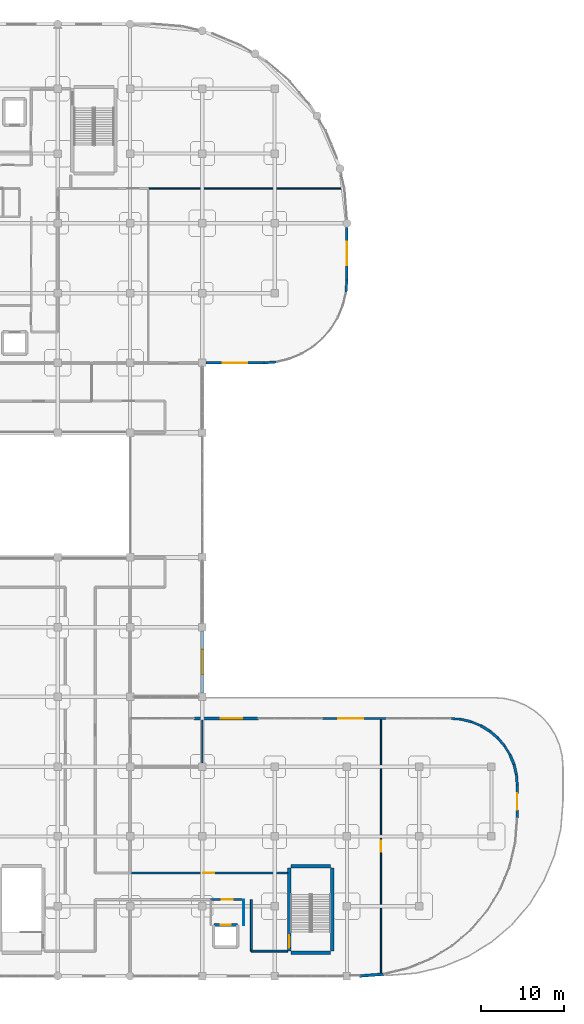
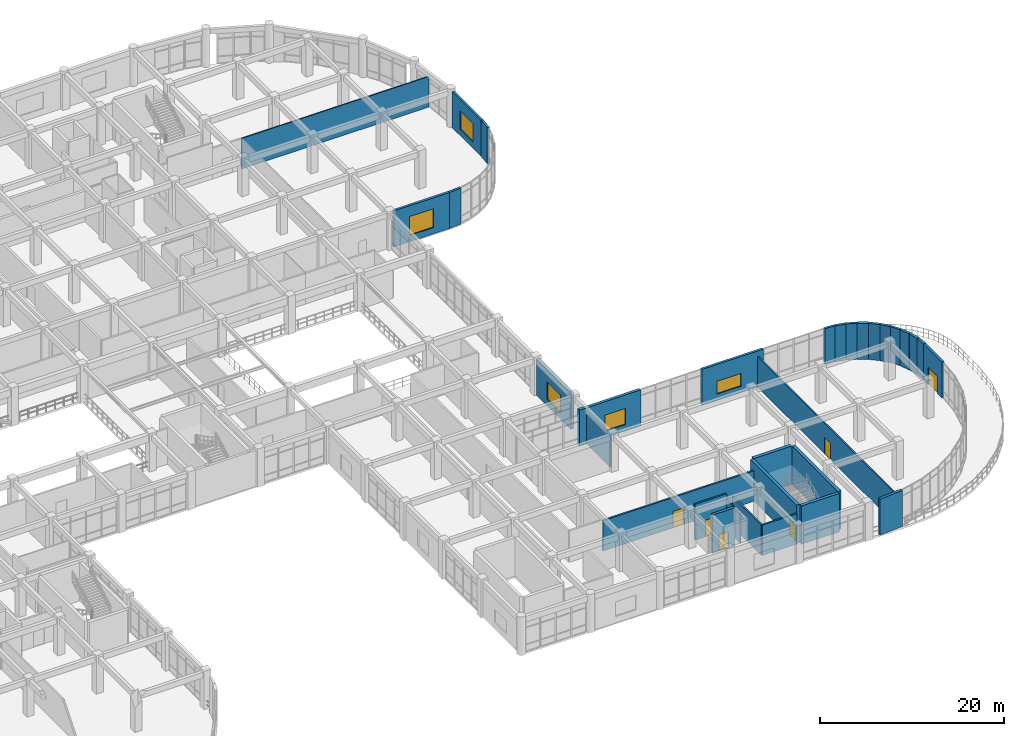
# One storey, part 107 of 120: 32 walls, 6 doors, 5 windows, 11 openings.
"""IFC4 building model written with IfcOpenShell, lengths in metres."""

from ifc_helpers import new_model, si_unit, derived_unit, direction, frame, frame_2d, origin, place, context, subcontext, project, spatial, rectangle, extrude, material, layer, layer_set, type_object, element, fill, save


model = new_model("IFC4")

# Units and contexts
model_context = context("Model", 3, precision=1e-05, world=origin(), true_north=direction((0.0, 1.0)))
body_context = subcontext(model_context, "Body", "Model", "MODEL_VIEW")
ifc_project = project(units=[si_unit("LENGTHUNIT", "METRE"), si_unit("AREAUNIT", "SQUARE_METRE"), si_unit("VOLUMEUNIT", "CUBIC_METRE"), si_unit("PLANEANGLEUNIT", "RADIAN"), si_unit("MASSUNIT", "GRAM", prefix="KILO"), derived_unit("THERMALTRANSMITTANCEUNIT", [(si_unit("MASSUNIT", "GRAM", prefix="KILO"), 1), (si_unit("TIMEUNIT", "SECOND"), -3), (si_unit("THERMODYNAMICTEMPERATUREUNIT", "KELVIN"), -1)])], contexts=[model_context])

# Site, building, storey
site_placement = place(None, origin())
site = spatial("IfcSite", under=ifc_project, at=site_placement, CompositionType="ELEMENT")
building_placement = place(site_placement, origin())
building = spatial("IfcBuilding", under=site, at=building_placement, Name="Qinzheling Arcade Emporium", CompositionType="ELEMENT")
storey_placement = place(building_placement, frame((0.0, 0.0, 11.39990234375)))
storey = spatial("IfcBuildingStorey", under=building, at=storey_placement, Name="L03", CompositionType="ELEMENT", Elevation=11.39990234375)

# Wall, opening, door
ifc_material_1 = material(Name="Double-stud acoustic gypsum board partition")
ifc_layer_1 = layer(ifc_material_1, 0.215087890625, Name="Double-stud acoustic gypsum board partition")
ifc_layer_set_1 = layer_set([ifc_layer_1], Name="Double-stud acoustic gypsum board partition")
wall_type_1 = type_object("IfcWallType", Name="Acoustic Corridor Partition Wall 215", PredefinedType="PARTITIONING", material=ifc_layer_set_1)
wall_1_placement = place(storey_placement, frame((131.5, 9.199951171875, 0.0), z_axis=(0.0, 0.0, 1.0), x_axis=(1.0, 0.0, 0.0)))
wall_1 = element("IfcWall", 1, at=wall_1_placement, inside=storey, type_object=wall_type_1, Name="Interior Wall WL-L03-INT-0443", PredefinedType="PARTITIONING", context=body_context, shape_type="SweptSolid", body=[
    extrude(rectangle(XDim=4.0, YDim=0.215087890625, at=frame_2d((2.0, 0.0))), origin(), (0.0, 0.0, 1.0), 4.760009765625),
])
opening_1_placement = place(wall_1_placement, frame((1.324951171875, 0.0, 0.0)))
opening_1 = element("IfcOpeningElement", 2, at=opening_1_placement, cuts=wall_1, Name="Opening FD05", PredefinedType="OPENING", context=body_context, shape_type="SweptSolid", body=[
    extrude(rectangle(XDim=1.35009765625, YDim=2.199951171875, at=frame_2d((0.675048828125, 1.10009765625))), frame((0.0, 0.11767578125, 0.0), z_axis=(0.0, -1.0, 0.0), x_axis=(1.0, 0.0, 0.0)), (0.0, 0.0, 1.0), 0.235107421875),
])
ifc_material_2 = material(Name="Class B fire-rated stainless-clad door")
door_type_1 = type_object("IfcDoorType", Name="Kitchen Fire-Rated Service Door 1350x2200", OperationType="NOTDEFINED", PredefinedType="DOOR", material=ifc_material_2)
door_1_placement = place(opening_1_placement, origin())
door_1 = element("IfcDoor", 3, at=door_1_placement, inside=storey, type_object=door_type_1, Name="FD05 Interior Door DR-L03-INT-0123", OperationType="SINGLE_SWING_LEFT", OverallHeight=2.199951171875, OverallWidth=1.35009765625, PredefinedType="DOOR", context=body_context, shape_type="SweptSolid", body=[
    extrude(rectangle(XDim=1.35009765625, YDim=2.199951171875, at=frame_2d((0.675048828125, 1.10009765625))), frame((0.0, 0.02490234375, 0.0), z_axis=(0.0, -1.0, 0.0), x_axis=(1.0, 0.0, 0.0)), (0.0, 0.0, 1.0), 0.050048828125),
])
fill(opening_1, door_1)

wall_2_placement = place(storey_placement, frame((121.800048828125, 12.39990234375, 0.0), z_axis=(0.0, 0.0, 1.0), x_axis=(1.0, 0.0, 0.0)))
wall_2 = element("IfcWall", 4, at=wall_2_placement, inside=storey, type_object=wall_type_1, Name="Interior Wall WL-L03-INT-0518", PredefinedType="PARTITIONING", context=body_context, shape_type="SweptSolid", body=[
    extrude(rectangle(XDim=18.949951171875, YDim=0.215087890625, at=frame_2d((9.47509765625, 0.0))), origin(), (0.0, 0.0, 1.0), 4.045166015625),
])
opening_2_placement = place(wall_2_placement, frame((8.800048828125, 0.0, 0.0)))
opening_2 = element("IfcOpeningElement", 5, at=opening_2_placement, cuts=wall_2, Name="Opening FD05", PredefinedType="OPENING", context=body_context, shape_type="SweptSolid", body=[
    extrude(rectangle(XDim=1.35009765625, YDim=2.199951171875, at=frame_2d((0.675048828125, 1.10009765625))), frame((0.0, 0.11767578125, 0.0), z_axis=(0.0, -1.0, 0.0), x_axis=(1.0, 0.0, 0.0)), (0.0, 0.0, 1.0), 0.235107421875),
])
door_2_placement = place(opening_2_placement, origin())
door_2 = element("IfcDoor", 6, at=door_2_placement, inside=storey, type_object=door_type_1, Name="FD05 Interior Door DR-L03-INT-0150", OperationType="SINGLE_SWING_RIGHT", OverallHeight=2.199951171875, OverallWidth=1.35009765625, PredefinedType="DOOR", context=body_context, shape_type="SweptSolid", body=[
    extrude(rectangle(XDim=1.35009765625, YDim=2.199951171875, at=frame_2d((0.675048828125, 1.10009765625))), frame((0.0, 0.02490234375, 0.0), z_axis=(0.0, -1.0, 0.0), x_axis=(1.0, 0.0, 0.0)), (0.0, 0.0, 1.0), 0.050048828125),
])
fill(opening_2, door_2)

# Walls
wall_3_placement = place(storey_placement, frame((140.75, 3.0, 0.0), z_axis=(0.0, 0.0, 1.0), x_axis=(-1.0, 0.0, 0.0)))
element("IfcWall", 7, at=wall_3_placement, inside=storey, type_object=wall_type_1, Name="Interior Wall WL-L03-INT-0519", PredefinedType="PARTITIONING", context=body_context, shape_type="SweptSolid", body=[
    extrude(rectangle(XDim=4.35009765625, YDim=0.215087890625, at=frame_2d((2.175048828125, 0.0))), origin(), (0.0, 0.0, 1.0), 4.045166015625),
])
wall_4_placement = place(storey_placement, frame((136.39990234375, 3.0, 0.0), z_axis=(0.0, 0.0, 1.0), x_axis=(0.0, 1.0, 0.0)))
element("IfcWall", 8, at=wall_4_placement, inside=storey, type_object=wall_type_1, Name="Interior Wall WL-L03-INT-0520", PredefinedType="PARTITIONING", context=body_context, shape_type="SweptSolid", body=[
    extrude(rectangle(XDim=6.199951171875, YDim=0.215087890625, at=frame_2d((3.10009765625, 0.0))), origin(), (0.0, 0.0, 1.0), 4.045166015625),
])
ifc_material_3 = material(Name="Insulated aluminium-clad spandrel wall", Category="aluminium")
ifc_layer_2 = layer(ifc_material_3, 0.260009765625, Name="Insulated aluminium-clad spandrel wall", Category="aluminium")
ifc_layer_set_2 = layer_set([ifc_layer_2], Name="Insulated aluminium-clad spandrel wall")
wall_type_2 = type_object("IfcWallType", Name="Arcade Clerestory Spandrel Wall 260", PredefinedType="STANDARD", material=ifc_layer_set_2)
wall_5_placement = place(storey_placement, frame((162.8720703125, 30.60791015625, 0.0), z_axis=(0.0, 0.0, 1.0), x_axis=(0.924012093559, -0.382363244777, 0.0)))
element("IfcWall", 9, at=wall_5_placement, inside=storey, type_object=wall_type_2, Name="Exterior Wall WL-L03-EW-0141", PredefinedType="STANDARD", context=body_context, shape_type="SweptSolid", body=[
    extrude(rectangle(XDim=1.25537109375, YDim=0.260009765625, at=frame_2d((0.627685546875, 0.0))), origin(), (0.0, 0.0, 1.0), 4.7900390625),
])
wall_6_placement = place(storey_placement, frame((166.8720703125, 27.701904296875, 0.0), z_axis=(0.0, 0.0, 1.0), x_axis=(0.522739961681, -0.852492189091, 0.0)))
element("IfcWall", 10, at=wall_6_placement, inside=storey, type_object=wall_type_2, Name="Exterior Wall WL-L03-EW-0145", PredefinedType="STANDARD", context=body_context, shape_type="SweptSolid", body=[
    extrude(rectangle(XDim=1.2548828125, YDim=0.260009765625, at=frame_2d((0.62744140625, 0.0))), origin(), (0.0, 0.0, 1.0), 4.7900390625),
])

# Wall, opening, door
wall_7_placement = place(storey_placement, frame((168.39990234375, 23.0, 0.0), z_axis=(0.0, 0.0, 1.0), x_axis=(0.0, -1.0, 0.0)))
wall_7 = element("IfcWall", 11, at=wall_7_placement, inside=storey, type_object=wall_type_2, Name="Exterior Wall WL-L03-EW-0149", PredefinedType="STANDARD", context=body_context, shape_type="SweptSolid", body=[
    extrude(rectangle(XDim=4.0, YDim=0.260009765625, at=frame_2d((2.0, 0.0))), origin(), (0.0, 0.0, 1.0), 4.7900390625),
])
opening_3_placement = place(wall_7_placement, frame((1.0, 0.0, 0.0)))
opening_3 = element("IfcOpeningElement", 12, at=opening_3_placement, cuts=wall_7, Name="Opening TD02", PredefinedType="OPENING", context=body_context, shape_type="SweptSolid", body=[
    extrude(rectangle(XDim=2.0, YDim=2.25, at=frame_2d((1.0, 1.125))), frame((0.0, 0.14013671875, 0.0), z_axis=(0.0, -1.0, 0.0), x_axis=(1.0, 0.0, 0.0)), (0.0, 0.0, 1.0), 0.280029296875),
])
ifc_material_4 = material(Name="Thermally broken aluminium and double glass", Category="aluminium")
door_type_2 = type_object("IfcDoorType", Name="Food Hall Terrace Double Door 2000x2250", OperationType="DOUBLE_DOOR_SINGLE_SWING", PredefinedType="DOOR", material=ifc_material_4)
door_3_placement = place(opening_3_placement, origin())
door_3 = element("IfcDoor", 13, at=door_3_placement, inside=storey, type_object=door_type_2, Name="TD02 Exterior Door DR-L03-EXT-030", OperationType="DOUBLE_DOOR_SINGLE_SWING", OverallHeight=2.25, OverallWidth=2.0, PredefinedType="DOOR", context=body_context, shape_type="SweptSolid", body=[
    extrude(rectangle(XDim=2.0, YDim=2.25, at=frame_2d((1.0, 1.125))), frame((0.0, 0.02490234375, 0.0), z_axis=(0.0, -1.0, 0.0), x_axis=(1.0, 0.0, 0.0)), (0.0, 0.0, 1.0), 0.050048828125),
])
fill(opening_3, door_3)

# Walls
wall_8_placement = place(storey_placement, frame((160.39990234375, 31.0, 0.0), z_axis=(0.0, 0.0, 1.0), x_axis=(0.996951745605, -0.078020618655, 0.0)))
element("IfcWall", 14, at=wall_8_placement, inside=storey, type_object=wall_type_2, Name="Exterior Wall WL-L03-EW-0201", PredefinedType="STANDARD", context=body_context, shape_type="SweptSolid", body=[
    extrude(rectangle(XDim=1.2548828125, YDim=0.260009765625, at=frame_2d((0.62744140625, 0.0))), origin(), (0.0, 0.0, 1.0), 4.7900390625),
])
ifc_material_5 = material(Name="Lightweight atelier partition")
ifc_layer_3 = layer(ifc_material_5, 0.14990234375, Name="Lightweight atelier partition")
ifc_layer_set_3 = layer_set([ifc_layer_3], Name="Lightweight atelier partition")
wall_type_3 = type_object("IfcWallType", Name="Atelier Partition Wall 150", PredefinedType="PARTITIONING", material=ifc_layer_set_3)
wall_9_placement = place(storey_placement, frame((130.5, 30.81494140625, 0.0), z_axis=(0.0, 0.0, 1.0), x_axis=(0.0, -1.0, 0.0)))
element("IfcWall", 15, at=wall_9_placement, inside=storey, type_object=wall_type_3, Name="Interior Wall WL-L03-INT-0568", PredefinedType="PARTITIONING", context=body_context, shape_type="SweptSolid", body=[
    extrude(rectangle(XDim=5.155029296875, YDim=0.14990234375, at=frame_2d((2.57763671875, 0.0))), origin(), (0.0, 0.0, 1.0), 4.06005859375),
])
ifc_material_6 = material(Name="Galvanised stud back-of-house partition")
ifc_layer_4 = layer(ifc_material_6, 0.1201171875, Name="Galvanised stud back-of-house partition")
ifc_layer_set_4 = layer_set([ifc_layer_4], Name="Galvanised stud back-of-house partition")
wall_type_4 = type_object("IfcWallType", Name="Back-of-House Partition Wall 120", PredefinedType="PARTITIONING", material=ifc_layer_set_4)
wall_10_placement = place(storey_placement, frame((135.5, 9.199951171875, 0.0), z_axis=(0.0, 0.0, 1.0), x_axis=(0.0, -1.0, 0.0)))
element("IfcWall", 16, at=wall_10_placement, inside=storey, type_object=wall_type_4, Name="Interior Wall WL-L03-INT-0445", PredefinedType="PARTITIONING", context=body_context, shape_type="SweptSolid", body=[
    extrude(rectangle(XDim=3.070068359375, YDim=0.1201171875, at=frame_2d((1.53515625, 0.0))), origin(), (0.0, 0.0, 1.0), 4.045166015625),
])
ifc_material_7 = material(Name="Glazed-transom steel-stud office partition", Category="steel")
ifc_layer_5 = layer(ifc_material_7, 0.135009765625, Name="Glazed-transom steel-stud office partition", Category="steel")
ifc_layer_set_5 = layer_set([ifc_layer_5], Name="Glazed-transom steel-stud office partition")
wall_type_5 = type_object("IfcWallType", Name="Buying Office Acoustic Partition Wall 135", PredefinedType="PARTITIONING", material=ifc_layer_set_5)
wall_11_placement = place(storey_placement, frame((124.0, 94.800048828125, 0.0), z_axis=(0.0, 0.0, 1.0), x_axis=(1.0, 0.0, 0.0)))
element("IfcWall", 17, at=wall_11_placement, inside=storey, type_object=wall_type_5, Name="Interior Wall WL-L03-INT-0587", PredefinedType="PARTITIONING", context=body_context, shape_type="SweptSolid", body=[
    extrude(rectangle(XDim=23.501953125, YDim=0.135009765625, at=frame_2d((11.7509765625, 0.0))), origin(), (0.0, 0.0, 1.0), 4.0751953125),
])
ifc_material_8 = material(Name="Celadon glazed terracotta insulated spandrel", Category="masonry")
ifc_layer_6 = layer(ifc_material_8, 0.340087890625, Name="Celadon glazed terracotta insulated spandrel", Category="masonry")
ifc_layer_set_6 = layer_set([ifc_layer_6], Name="Celadon glazed terracotta insulated spandrel")
wall_type_6 = type_object("IfcWallType", Name="Celadon Spandrel Infill Wall 340", PredefinedType="STANDARD", material=ifc_layer_set_6)
wall_12_placement = place(storey_placement, frame((164.031982421875, 30.1279296875, 0.0), z_axis=(0.0, 0.0, 1.0), x_axis=(0.852545336416, -0.522653278337, 0.0)))
element("IfcWall", 18, at=wall_12_placement, inside=storey, type_object=wall_type_6, Name="Exterior Wall WL-L03-EW-0142", PredefinedType="STANDARD", context=body_context, shape_type="SweptSolid", body=[
    extrude(rectangle(XDim=1.255126953125, YDim=0.340087890625, at=frame_2d((0.62744140625, 0.0))), origin(), (0.0, 0.0, 1.0), 4.7900390625),
])
wall_13_placement = place(storey_placement, frame((167.528076171875, 26.632080078125, 0.0), z_axis=(0.0, 0.0, 1.0), x_axis=(0.382294541879, -0.92404052035, 0.0)))
element("IfcWall", 19, at=wall_13_placement, inside=storey, type_object=wall_type_6, Name="Exterior Wall WL-L03-EW-0146", PredefinedType="STANDARD", context=body_context, shape_type="SweptSolid", body=[
    extrude(rectangle(XDim=1.255615234375, YDim=0.340087890625, at=frame_2d((0.6279296875, 0.0))), origin(), (0.0, 0.0, 1.0), 4.7900390625),
])
wall_14_placement = place(storey_placement, frame((152.3720703125, 0.23388671875, 0.0), z_axis=(0.0, 0.0, 1.0), x_axis=(-0.996918067583, -0.07844977072, 0.0)))
element("IfcWall", 20, at=wall_14_placement, inside=storey, type_object=wall_type_6, Name="Exterior Wall WL-L03-EW-0150", PredefinedType="STANDARD", context=body_context, shape_type="SweptSolid", body=[
    extrude(rectangle(XDim=2.9814453125, YDim=0.340087890625, at=frame_2d((1.49072265625, 0.0))), origin(), (0.0, 0.0, 1.0), 4.7900390625),
])
ifc_material_9 = material(Name="Glazed cream terracotta insulated wall", Category="masonry")
ifc_layer_7 = layer(ifc_material_9, 0.320068359375, Name="Glazed cream terracotta insulated wall", Category="masonry")
ifc_layer_set_7 = layer_set([ifc_layer_7], Name="Glazed cream terracotta insulated wall")
wall_type_7 = type_object("IfcWallType", Name="Chicago Frame Infill Wall 320", PredefinedType="STANDARD", material=ifc_layer_set_7)
wall_15_placement = place(storey_placement, frame((165.10205078125, 29.471923828125, 0.0), z_axis=(0.0, 0.0, 1.0), x_axis=(0.76062774277, -0.649188290812, 0.0)))
element("IfcWall", 21, at=wall_15_placement, inside=storey, type_object=wall_type_7, Name="Exterior Wall WL-L03-EW-0143", PredefinedType="STANDARD", context=body_context, shape_type="SweptSolid", body=[
    extrude(rectangle(XDim=1.25537109375, YDim=0.320068359375, at=frame_2d((0.627685546875, 0.0))), origin(), (0.0, 0.0, 1.0), 4.7900390625),
])
wall_16_placement = place(storey_placement, frame((168.008056640625, 25.471923828125, 0.0), z_axis=(0.0, 0.0, 1.0), x_axis=(0.234064047206, -0.972221179468, 0.0)))
element("IfcWall", 22, at=wall_16_placement, inside=storey, type_object=wall_type_7, Name="Exterior Wall WL-L03-EW-0147", PredefinedType="STANDARD", context=body_context, shape_type="SweptSolid", body=[
    extrude(rectangle(XDim=1.255859375, YDim=0.320068359375, at=frame_2d((0.6279296875, 0.0))), origin(), (0.0, 0.0, 1.0), 4.7900390625),
])

# Wall, opening, window
ifc_material_10 = material(Name="Glazed cream terracotta on Concrete C40", Category="masonry")
ifc_layer_8 = layer(ifc_material_10, 0.360107421875, Name="Glazed cream terracotta on Concrete C40", Category="masonry")
ifc_layer_set_8 = layer_set([ifc_layer_8], Name="Glazed cream terracotta on Concrete C40")
wall_type_8 = type_object("IfcWallType", Name="Glazed Terracotta Pier Wall 360", PredefinedType="STANDARD", material=ifc_layer_set_8)
wall_17_placement = place(storey_placement, frame((130.5, 41.548095703125, 0.0), z_axis=(0.0, 0.0, 1.0), x_axis=(0.0, -1.0, 0.0)))
wall_17 = element("IfcWall", 23, at=wall_17_placement, inside=storey, type_object=wall_type_8, Name="Exterior Wall WL-L03-EW-0197", PredefinedType="STANDARD", context=body_context, shape_type="SweptSolid", body=[
    extrude(rectangle(XDim=7.49609375, YDim=0.360107421875, at=frame_2d((3.748046875, 0.0))), origin(), (0.0, 0.0, 1.0), 4.7900390625),
])
opening_4_placement = place(wall_17_placement, frame((2.248046875, 0.0, 0.85009765625)))
opening_4 = element("IfcOpeningElement", 24, at=opening_4_placement, cuts=wall_17, Name="Opening WN40", PredefinedType="OPENING", context=body_context, shape_type="SweptSolid", body=[
    extrude(rectangle(XDim=3.0, YDim=2.300048828125, at=frame_2d((1.5, 1.14990234375))), frame((0.0, 0.18994140625, 0.0), z_axis=(0.0, -1.0, 0.0), x_axis=(1.0, 0.0, 0.0)), (0.0, 0.0, 1.0), 0.380126953125),
])
ifc_material_11 = material(Name="Thermally broken aluminium frame with solar-control double glazing", Category="aluminium")
window_type_1 = type_object("IfcWindowType", Name="Chicago Tripartite Window 3000x2300", PartitioningType="TRIPLE_PANEL_VERTICAL", PredefinedType="WINDOW", material=ifc_material_11)
window_1_placement = place(opening_4_placement, origin())
window_1 = element("IfcWindow", 25, at=window_1_placement, inside=storey, type_object=window_type_1, Name="WN40 Window WN-L03-0054", OverallHeight=2.300048828125, OverallWidth=3.0, PartitioningType="TRIPLE_PANEL_VERTICAL", PredefinedType="WINDOW", context=body_context, shape_type="SweptSolid", body=[
    extrude(rectangle(XDim=3.0, YDim=2.300048828125, at=frame_2d((1.5, 1.14990234375))), frame((0.0, 0.030029296875, 0.0), z_axis=(0.0, -1.0, 0.0), x_axis=(1.0, 0.0, 0.0)), (0.0, 0.0, 1.0), 0.06005859375),
])
fill(opening_4, window_1)

wall_18_placement = place(storey_placement, frame((129.52197265625, 31.0, 0.0), z_axis=(0.0, 0.0, 1.0), x_axis=(1.0, 0.0, 0.0)))
wall_18 = element("IfcWall", 26, at=wall_18_placement, inside=storey, type_object=wall_type_8, Name="Exterior Wall WL-L03-EW-0199", PredefinedType="STANDARD", context=body_context, shape_type="SweptSolid", body=[
    extrude(rectangle(XDim=7.716064453125, YDim=0.360107421875, at=frame_2d((3.85791015625, 0.0))), origin(), (0.0, 0.0, 1.0), 4.7900390625),
])
opening_5_placement = place(wall_18_placement, frame((3.18896484375, 0.0, 0.85009765625)))
opening_5 = element("IfcOpeningElement", 27, at=opening_5_placement, cuts=wall_18, Name="Opening WN50", PredefinedType="OPENING", context=body_context, shape_type="SweptSolid", body=[
    extrude(rectangle(XDim=2.60009765625, YDim=2.14990234375, at=frame_2d((1.300048828125, 1.074951171875))), frame((0.0, 0.18994140625, 0.0), z_axis=(0.0, -1.0, 0.0), x_axis=(1.0, 0.0, 0.0)), (0.0, 0.0, 1.0), 0.380126953125),
])
window_type_2 = type_object("IfcWindowType", Name="Chicago Tripartite Window 2600x2150", PartitioningType="TRIPLE_PANEL_VERTICAL", PredefinedType="WINDOW", material=ifc_material_11)
window_2_placement = place(opening_5_placement, origin())
window_2 = element("IfcWindow", 28, at=window_2_placement, inside=storey, type_object=window_type_2, Name="WN50 Window WN-L03-0055", OverallHeight=2.14990234375, OverallWidth=2.60009765625, PartitioningType="TRIPLE_PANEL_VERTICAL", PredefinedType="WINDOW", context=body_context, shape_type="SweptSolid", body=[
    extrude(rectangle(XDim=2.60009765625, YDim=2.14990234375, at=frame_2d((1.300048828125, 1.074951171875))), frame((0.0, 0.030029296875, 0.0), z_axis=(0.0, -1.0, 0.0), x_axis=(1.0, 0.0, 0.0)), (0.0, 0.0, 1.0), 0.06005859375),
])
fill(opening_5, window_2)

# Wall, opening, door
ifc_material_12 = material(Name="Fire-rated calcium silicate shaft wall")
ifc_layer_9 = layer(ifc_material_12, 0.169921875, Name="Fire-rated calcium silicate shaft wall")
ifc_layer_set_9 = layer_set([ifc_layer_9], Name="Fire-rated calcium silicate shaft wall")
wall_type_9 = type_object("IfcWallType", Name="Kitchen Exhaust Riser Shaft Wall 170", PredefinedType="MOVABLE", material=ifc_layer_set_9)
wall_19_placement = place(storey_placement, frame((152.0, 30.844970703125, 0.0), z_axis=(0.0, 0.0, 1.0), x_axis=(0.0, -1.0, 0.0)))
wall_19 = element("IfcWall", 29, at=wall_19_placement, inside=storey, type_object=wall_type_9, Name="Interior Wall WL-L03-INT-0574", PredefinedType="MOVABLE", context=body_context, shape_type="SweptSolid", body=[
    extrude(rectangle(XDim=30.465087890625, YDim=0.169921875, at=frame_2d((15.232421875, 0.0))), origin(), (0.0, 0.0, 1.0), 4.045166015625),
])
opening_6_placement = place(wall_19_placement, frame((14.556884765625, 0.0, 0.0)))
opening_6 = element("IfcOpeningElement", 30, at=opening_6_placement, cuts=wall_19, Name="Opening FD05", PredefinedType="OPENING", context=body_context, shape_type="SweptSolid", body=[
    extrude(rectangle(XDim=1.35009765625, YDim=2.199951171875, at=frame_2d((0.675048828125, 1.10009765625))), frame((0.0, 0.094970703125, 0.0), z_axis=(0.0, -1.0, 0.0), x_axis=(1.0, 0.0, 0.0)), (0.0, 0.0, 1.0), 0.18994140625),
])
door_4_placement = place(opening_6_placement, origin())
door_4 = element("IfcDoor", 31, at=door_4_placement, inside=storey, type_object=door_type_1, Name="FD05 Interior Door DR-L03-INT-0151", OperationType="SINGLE_SWING_LEFT", OverallHeight=2.199951171875, OverallWidth=1.35009765625, PredefinedType="DOOR", context=body_context, shape_type="SweptSolid", body=[
    extrude(rectangle(XDim=1.35009765625, YDim=2.199951171875, at=frame_2d((0.675048828125, 1.10009765625))), frame((0.0, 0.02490234375, 0.0), z_axis=(0.0, -1.0, 0.0), x_axis=(1.0, 0.0, 0.0)), (0.0, 0.0, 1.0), 0.050048828125),
])
fill(opening_6, door_4)

# Wall, opening, window
ifc_material_13 = material(Name="Buff glazed terracotta insulated wall", Category="masonry")
ifc_layer_10 = layer(ifc_material_13, 0.2900390625, Name="Buff glazed terracotta insulated wall", Category="masonry")
ifc_layer_set_10 = layer_set([ifc_layer_10], Name="Buff glazed terracotta insulated wall")
wall_type_10 = type_object("IfcWallType", Name="Office Bar Terracotta Wall 290", PredefinedType="STANDARD", material=ifc_layer_set_10)
wall_20_placement = place(storey_placement, frame((147.89990234375, 90.123046875, 0.0), z_axis=(0.0, 0.0, 1.0), x_axis=(0.0, -1.0, 0.0)))
wall_20 = element("IfcWall", 32, at=wall_20_placement, inside=storey, type_object=wall_type_10, Name="Exterior Wall WL-L03-EW-0193", PredefinedType="STANDARD", context=body_context, shape_type="SweptSolid", body=[
    extrude(rectangle(XDim=6.322998046875, YDim=0.2900390625, at=frame_2d((3.16162109375, 0.0))), origin(), (0.0, 0.0, 1.0), 4.7900390625),
])
opening_7_placement = place(wall_20_placement, frame((1.761962890625, 0.0, 0.85009765625)))
opening_7 = element("IfcOpeningElement", 33, at=opening_7_placement, cuts=wall_20, Name="Opening WN44", PredefinedType="OPENING", context=body_context, shape_type="SweptSolid", body=[
    extrude(rectangle(XDim=2.800048828125, YDim=2.449951171875, at=frame_2d((1.39990234375, 1.22509765625))), frame((0.0, 0.155029296875, 0.0), z_axis=(0.0, -1.0, 0.0), x_axis=(1.0, 0.0, 0.0)), (0.0, 0.0, 1.0), 0.31005859375),
])
window_type_3 = type_object("IfcWindowType", Name="Chicago Tripartite Window 2800x2450", PartitioningType="TRIPLE_PANEL_VERTICAL", PredefinedType="WINDOW", material=ifc_material_11)
window_3_placement = place(opening_7_placement, origin())
window_3 = element("IfcWindow", 34, at=window_3_placement, inside=storey, type_object=window_type_3, Name="WN44 Window WN-L03-0052", OverallHeight=2.449951171875, OverallWidth=2.800048828125, PartitioningType="TRIPLE_PANEL_VERTICAL", PredefinedType="WINDOW", context=body_context, shape_type="SweptSolid", body=[
    extrude(rectangle(XDim=2.800048828125, YDim=2.449951171875, at=frame_2d((1.39990234375, 1.22509765625))), frame((0.0, 0.030029296875, 0.0), z_axis=(0.0, -1.0, 0.0), x_axis=(1.0, 0.0, 0.0)), (0.0, 0.0, 1.0), 0.06005859375),
])
fill(opening_7, window_3)

# Walls
wall_21_placement = place(storey_placement, frame((147.89990234375, 83.800048828125, 0.0), z_axis=(0.0, 0.0, 1.0), x_axis=(-0.078279196428, -0.996931475783, 0.0)))
element("IfcWall", 35, at=wall_21_placement, inside=storey, type_object=wall_type_10, Name="Exterior Wall WL-L03-EW-0194", PredefinedType="STANDARD", context=body_context, shape_type="SweptSolid", body=[
    extrude(rectangle(XDim=1.56884765625, YDim=0.2900390625, at=frame_2d((0.784423828125, 0.0))), origin(), (0.0, 0.0, 1.0), 4.7900390625),
])
wall_22_placement = place(storey_placement, frame((139.464111328125, 73.923095703125, 0.0), z_axis=(0.0, 0.0, 1.0), x_axis=(-0.99692027629, -0.078421698026, 0.0)))
element("IfcWall", 36, at=wall_22_placement, inside=storey, type_object=wall_type_10, Name="Exterior Wall WL-L03-EW-0195", PredefinedType="STANDARD", context=body_context, shape_type="SweptSolid", body=[
    extrude(rectangle(XDim=1.569091796875, YDim=0.2900390625, at=frame_2d((0.78466796875, 0.0))), origin(), (0.0, 0.0, 1.0), 4.7900390625),
])

# Wall, opening, window
wall_23_placement = place(storey_placement, frame((137.89990234375, 73.800048828125, 0.0), z_axis=(0.0, 0.0, 1.0), x_axis=(-1.0, 0.0, 0.0)))
wall_23 = element("IfcWall", 37, at=wall_23_placement, inside=storey, type_object=wall_type_10, Name="Exterior Wall WL-L03-EW-0196", PredefinedType="STANDARD", context=body_context, shape_type="SweptSolid", body=[
    extrude(rectangle(XDim=6.947998046875, YDim=0.2900390625, at=frame_2d((3.47412109375, 0.0))), origin(), (0.0, 0.0, 1.0), 4.7900390625),
])
opening_8_placement = place(wall_23_placement, frame((1.97412109375, 0.0, 0.85009765625)))
opening_8 = element("IfcOpeningElement", 38, at=opening_8_placement, cuts=wall_23, Name="Opening WN39", PredefinedType="OPENING", context=body_context, shape_type="SweptSolid", body=[
    extrude(rectangle(XDim=3.0, YDim=2.5, at=frame_2d((1.5, 1.25))), frame((0.0, 0.155029296875, 0.0), z_axis=(0.0, -1.0, 0.0), x_axis=(1.0, 0.0, 0.0)), (0.0, 0.0, 1.0), 0.31005859375),
])
window_type_4 = type_object("IfcWindowType", Name="Chicago Tripartite Window 3000x2500", PartitioningType="TRIPLE_PANEL_VERTICAL", PredefinedType="WINDOW", material=ifc_material_11)
window_4_placement = place(opening_8_placement, origin())
window_4 = element("IfcWindow", 39, at=window_4_placement, inside=storey, type_object=window_type_4, Name="WN39 Window WN-L03-0053", OverallHeight=2.5, OverallWidth=3.0, PartitioningType="TRIPLE_PANEL_VERTICAL", PredefinedType="WINDOW", context=body_context, shape_type="SweptSolid", body=[
    extrude(rectangle(XDim=3.0, YDim=2.5, at=frame_2d((1.5, 1.25))), frame((0.0, 0.030029296875, 0.0), z_axis=(0.0, -1.0, 0.0), x_axis=(1.0, 0.0, 0.0)), (0.0, 0.0, 1.0), 0.06005859375),
])
fill(opening_8, window_4)

# Wall, opening, door
ifc_material_14 = material(Name="Concrete C40", Category="concrete")
ifc_layer_11 = layer(ifc_material_14, 0.35009765625, Name="Concrete C40", Category="concrete")
ifc_layer_set_11 = layer_set([ifc_layer_11], Name="Concrete C40")
wall_type_11 = type_object("IfcWallType", Name="RC Lift Shaft Shear Wall 350 C40", PredefinedType="SHEAR", material=ifc_layer_set_11)
wall_24_placement = place(storey_placement, frame((131.875, 6.125, 0.0), z_axis=(0.0, 0.0, 1.0), x_axis=(1.0, 0.0, 0.0)))
wall_24 = element("IfcWall", 40, at=wall_24_placement, inside=storey, type_object=wall_type_11, Name="Lift Shaft Wall WL-L03-LFT-LP05-N", PredefinedType="SHEAR", context=body_context, shape_type="SweptSolid", body=[
    extrude(rectangle(XDim=2.85009765625, YDim=0.35009765625, at=frame_2d((1.425048828125, 0.0))), origin(), (0.0, 0.0, 1.0), 5.10009765625),
])
opening_9_placement = place(wall_24_placement, frame((0.824951171875, 0.0, 0.0)))
opening_9 = element("IfcOpeningElement", 41, at=opening_9_placement, cuts=wall_24, Name="Opening LD02", PredefinedType="OPENING", context=body_context, shape_type="SweptSolid", body=[
    extrude(rectangle(XDim=1.199951171875, YDim=2.199951171875, at=frame_2d((0.60009765625, 1.10009765625))), frame((0.0, 0.18505859375, 0.0), z_axis=(0.0, -1.0, 0.0), x_axis=(1.0, 0.0, 0.0)), (0.0, 0.0, 1.0), 0.3701171875),
])
ifc_material_15 = material(Name="Brushed bronze stainless sliding lift door")
door_type_3 = type_object("IfcDoorType", Name="Passenger Lift Sliding Landing Door 1200x2200", OperationType="DOUBLE_DOOR_SLIDING", PredefinedType="DOOR", material=ifc_material_15)
door_5_placement = place(opening_9_placement, origin())
door_5 = element("IfcDoor", 42, at=door_5_placement, inside=storey, type_object=door_type_3, Name="LD02 Lift Landing Door LP05 L03", OperationType="DOUBLE_DOOR_SLIDING", OverallHeight=2.199951171875, OverallWidth=1.199951171875, PredefinedType="DOOR", context=body_context, shape_type="SweptSolid", body=[
    extrude(rectangle(XDim=1.199951171875, YDim=2.199951171875, at=frame_2d((0.60009765625, 1.10009765625))), frame((0.0, 0.02490234375, 0.0), z_axis=(0.0, -1.0, 0.0), x_axis=(1.0, 0.0, 0.0)), (0.0, 0.0, 1.0), 0.050048828125),
])
fill(opening_9, door_5)

ifc_material_16 = material(Name="Concrete C50", Category="concrete")
ifc_layer_12 = layer(ifc_material_16, 0.39990234375, Name="Concrete C50", Category="concrete")
ifc_layer_set_12 = layer_set([ifc_layer_12], Name="Concrete C50")
wall_type_12 = type_object("IfcWallType", Name="RC Stair Core Shear Wall 400 C50", PredefinedType="SHEAR", material=ifc_layer_set_12)
wall_25_placement = place(storey_placement, frame((140.955078125, 3.0, 0.0), z_axis=(0.0, 0.0, 1.0), x_axis=(0.0, 1.0, 0.0)))
wall_25 = element("IfcWall", 43, at=wall_25_placement, inside=storey, type_object=wall_type_12, Name="Stair Core Wall WL-L03-ST06-WEST", PredefinedType="SHEAR", context=body_context, shape_type="SweptSolid", body=[
    extrude(rectangle(XDim=10.0, YDim=0.39990234375, at=frame_2d((5.0, 0.0))), origin(), (0.0, 0.0, 1.0), 5.10009765625),
])
opening_10_placement = place(wall_25_placement, frame((0.409912109375, 0.0, 0.0)))
opening_10 = element("IfcOpeningElement", 44, at=opening_10_placement, cuts=wall_25, Name="Opening FD01", PredefinedType="OPENING", context=body_context, shape_type="SweptSolid", body=[
    extrude(rectangle(XDim=1.5, YDim=2.199951171875, at=frame_2d((0.75, 1.10009765625))), frame((0.0, 0.2099609375, 0.0), z_axis=(0.0, -1.0, 0.0), x_axis=(1.0, 0.0, 0.0)), (0.0, 0.0, 1.0), 0.419921875),
])
ifc_material_17 = material(Name="Class A fire-rated steel double door", Category="steel")
door_type_4 = type_object("IfcDoorType", Name="Stairwell Smoke-Proof Fire Door 1500x2200", OperationType="DOUBLE_DOOR_SINGLE_SWING", PredefinedType="DOOR", material=ifc_material_17)
door_6_placement = place(opening_10_placement, origin())
door_6 = element("IfcDoor", 45, at=door_6_placement, inside=storey, type_object=door_type_4, Name="FD01 Stairwell Fire Door DR-L03-ST06-FD", OperationType="DOUBLE_DOOR_SINGLE_SWING", OverallHeight=2.199951171875, OverallWidth=1.5, PredefinedType="DOOR", context=body_context, shape_type="SweptSolid", body=[
    extrude(rectangle(XDim=1.5, YDim=2.199951171875, at=frame_2d((0.75, 1.10009765625))), frame((0.0, 0.02490234375, 0.0), z_axis=(0.0, -1.0, 0.0), x_axis=(1.0, 0.0, 0.0)), (0.0, 0.0, 1.0), 0.050048828125),
])
fill(opening_10, door_6)

# Walls
wall_26_placement = place(storey_placement, frame((146.14501953125, 13.0, 0.0), z_axis=(0.0, 0.0, 1.0), x_axis=(0.0, -1.0, 0.0)))
element("IfcWall", 46, at=wall_26_placement, inside=storey, type_object=wall_type_12, Name="Stair Core Wall WL-L03-ST06-EAST", PredefinedType="SHEAR", context=body_context, shape_type="SweptSolid", body=[
    extrude(rectangle(XDim=10.0, YDim=0.39990234375, at=frame_2d((5.0, 0.0))), origin(), (0.0, 0.0, 1.0), 5.10009765625),
])
for number, where, z_axis, x_axis, name in (
    (47, (145.945068359375, 2.800048828125, 0.0), (0.0, 0.0, 1.0), (-1.0, 0.0, 0.0), "Stair Core Wall WL-L03-ST06-SOUTH"),
    (48, (141.155029296875, 13.199951171875, 0.0), (0.0, 0.0, 1.0), (1.0, 0.0, 0.0), "Stair Core Wall WL-L03-ST06-NORTH"),
):
    element("IfcWall", number, at=place(storey_placement, frame(where, z_axis=z_axis, x_axis=x_axis)), inside=storey, type_object=wall_type_12, Name=name, PredefinedType="SHEAR", context=body_context, shape_type="SweptSolid", body=[
        extrude(rectangle(XDim=4.7900390625, YDim=0.39990234375, at=frame_2d((2.39501953125, 0.0))), origin(), (0.0, 0.0, 1.0), 5.10009765625),
    ])
ifc_layer_13 = layer(ifc_material_9, 0.300048828125, Name="Glazed cream terracotta insulated wall", Category="masonry")
ifc_layer_set_13 = layer_set([ifc_layer_13], Name="Glazed cream terracotta insulated wall")
wall_type_13 = type_object("IfcWallType", Name="Terrace Facade Infill Wall 300", PredefinedType="STANDARD", material=ifc_layer_set_13)
wall_27_placement = place(storey_placement, frame((161.65087890625, 30.902099609375, 0.0), z_axis=(0.0, 0.0, 1.0), x_axis=(0.972187588749, -0.234203527477, 0.0)))
element("IfcWall", 49, at=wall_27_placement, inside=storey, type_object=wall_type_13, Name="Exterior Wall WL-L03-EW-0140", PredefinedType="STANDARD", context=body_context, shape_type="SweptSolid", body=[
    extrude(rectangle(XDim=1.256103515625, YDim=0.300048828125, at=frame_2d((0.6279296875, 0.0))), origin(), (0.0, 0.0, 1.0), 4.7900390625),
])
wall_28_placement = place(storey_placement, frame((166.056884765625, 28.656982421875, 0.0), z_axis=(0.0, 0.0, 1.0), x_axis=(0.649204771389, -0.760613676452, 0.0)))
element("IfcWall", 50, at=wall_28_placement, inside=storey, type_object=wall_type_13, Name="Exterior Wall WL-L03-EW-0144", PredefinedType="STANDARD", context=body_context, shape_type="SweptSolid", body=[
    extrude(rectangle(XDim=1.255615234375, YDim=0.300048828125, at=frame_2d((0.6279296875, 0.0))), origin(), (0.0, 0.0, 1.0), 4.7900390625),
])
wall_29_placement = place(storey_placement, frame((168.302001953125, 24.2509765625, 0.0), z_axis=(0.0, 0.0, 1.0), x_axis=(0.078020618655, -0.996951745605, 0.0)))
element("IfcWall", 51, at=wall_29_placement, inside=storey, type_object=wall_type_13, Name="Exterior Wall WL-L03-EW-0148", PredefinedType="STANDARD", context=body_context, shape_type="SweptSolid", body=[
    extrude(rectangle(XDim=1.2548828125, YDim=0.300048828125, at=frame_2d((0.62744140625, 0.0))), origin(), (0.0, 0.0, 1.0), 4.7900390625),
])

# Wall, opening, window
wall_30_placement = place(storey_placement, frame((144.9619140625, 31.0, 0.0), z_axis=(0.0, 0.0, 1.0), x_axis=(1.0, 0.0, 0.0)))
wall_30 = element("IfcWall", 52, at=wall_30_placement, inside=storey, type_object=wall_type_13, Name="Exterior Wall WL-L03-EW-0200", PredefinedType="STANDARD", context=body_context, shape_type="SweptSolid", body=[
    extrude(rectangle(XDim=7.716064453125, YDim=0.300048828125, at=frame_2d((3.85791015625, 0.0))), origin(), (0.0, 0.0, 1.0), 4.7900390625),
])
opening_11_placement = place(wall_30_placement, frame((1.8779296875, 0.0, 0.85009765625)))
opening_11 = element("IfcOpeningElement", 53, at=opening_11_placement, cuts=wall_30, Name="Opening WN43", PredefinedType="OPENING", context=body_context, shape_type="SweptSolid", body=[
    extrude(rectangle(XDim=3.0, YDim=1.699951171875, at=frame_2d((1.5, 0.85009765625))), frame((0.0, 0.16015625, 0.0), z_axis=(0.0, -1.0, 0.0), x_axis=(1.0, 0.0, 0.0)), (0.0, 0.0, 1.0), 0.320068359375),
])
window_type_5 = type_object("IfcWindowType", Name="Chicago Tripartite Window 3000x1700", PartitioningType="TRIPLE_PANEL_VERTICAL", PredefinedType="WINDOW", material=ifc_material_11)
window_5_placement = place(opening_11_placement, origin())
window_5 = element("IfcWindow", 54, at=window_5_placement, inside=storey, type_object=window_type_5, Name="WN43 Window WN-L03-0056", OverallHeight=1.699951171875, OverallWidth=3.0, PartitioningType="TRIPLE_PANEL_VERTICAL", PredefinedType="WINDOW", context=body_context, shape_type="SweptSolid", body=[
    extrude(rectangle(XDim=3.0, YDim=1.699951171875, at=frame_2d((1.5, 0.85009765625))), frame((0.0, 0.030029296875, 0.0), z_axis=(0.0, -1.0, 0.0), x_axis=(1.0, 0.0, 0.0)), (0.0, 0.0, 1.0), 0.06005859375),
])
fill(opening_11, window_5)

save(model, "model.ifc")
